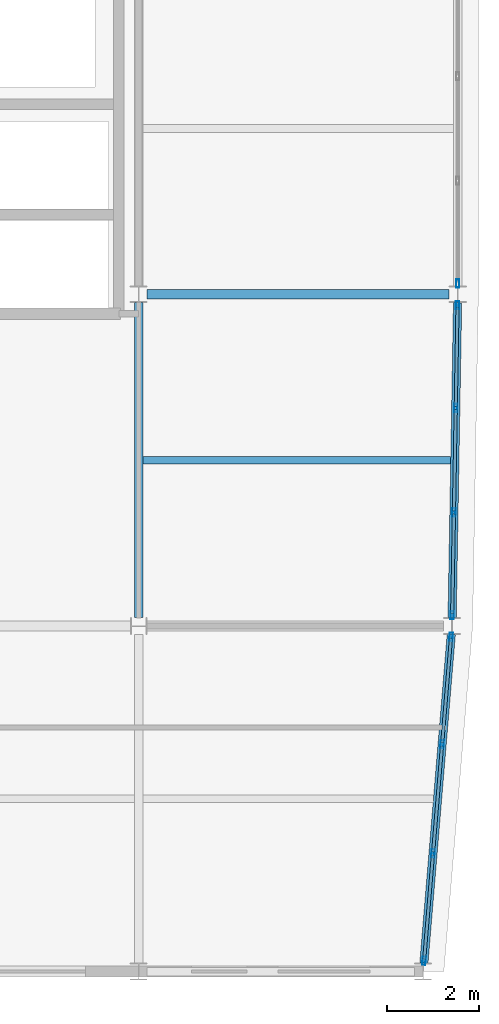
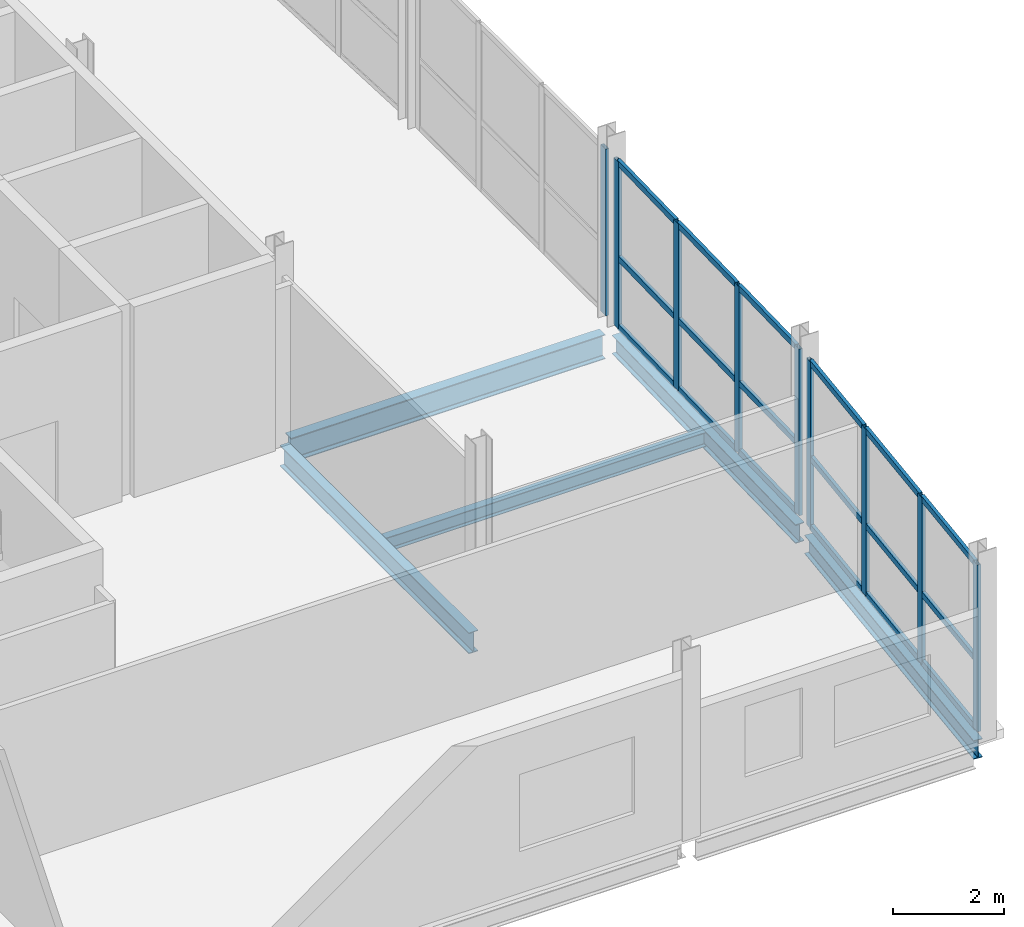
# One storey, part 2 of 16: 27 members, 5 beams, 3 elements without a shape of their own.
"""IFC4 building model written with IfcOpenShell, lengths in metres."""

from ifc_helpers import new_model, si_unit, direction, frame, origin, origin_2d, place, context, subcontext, project, spatial, hollow_rectangle, i_section, extrude, material, layer, layer_set, material_profile, profile_set, type_object, element, aggregate, save


model = new_model("IFC4")

# Units and contexts
model_context = context("Model", 3, precision=1e-05, world=origin(), true_north=direction((0.0, 1.0)))
body_context = subcontext(model_context, "Body", "Model", "MODEL_VIEW")
ifc_project = project(units=[si_unit("LENGTHUNIT", "METRE"), si_unit("AREAUNIT", "SQUARE_METRE"), si_unit("VOLUMEUNIT", "CUBIC_METRE"), si_unit("PLANEANGLEUNIT", "RADIAN"), si_unit("MASSUNIT", "GRAM", prefix="KILO")], contexts=[model_context])

# Site, building, storey
site_placement = place(None, origin())
site = spatial("IfcSite", under=ifc_project, at=site_placement, CompositionType="ELEMENT")
building_placement = place(site_placement, origin())
building = spatial("IfcBuilding", under=site, at=building_placement, Name="Quillay Park Conservatory", CompositionType="ELEMENT")
storey_placement = place(building_placement, frame((0.0, 0.0, 43.5)))
storey = spatial("IfcBuildingStorey", under=building, at=storey_placement, Name="L10", CompositionType="ELEMENT", Elevation=43.5)

# Beam
ifc_material_1 = material(Name="Steel ASTM A992 Grade 50", Category="steel")
ifc_material_profile_1 = material_profile(ifc_material_1, i_section(OverallWidth=0.166015625, OverallDepth=0.31298828125, WebThickness=0.006591796875, FlangeThickness=0.01123046875, FilletRadius=0.010009765625, at=origin_2d()), Name="W310x45")
ifc_profile_set_1 = profile_set([ifc_material_profile_1], Name="Steel ASTM A992 Grade 50")
beam_type_1 = type_object("IfcBeamType", Name="COMPOSITE FLOOR JOIST W310 X45", PredefinedType="JOIST", material=ifc_profile_set_1)
beam_1_placement = place(storey_placement, frame((19.845947265625, 81.60009765625, -0.3564453125), z_axis=(1.0, 0.0, 0.0), x_axis=(0.0, 1.0, 0.0)))
element("IfcBeam", 1, at=beam_1_placement, inside=storey, type_object=beam_type_1, Name="L10 beam BM-J-0741", PredefinedType="JOIST", context=body_context, shape_type="SweptSolid", body=[
    extrude(i_section(OverallWidth=0.166015625, OverallDepth=0.31298828125, WebThickness=0.006591796875, FlangeThickness=0.01123046875, FilletRadius=0.010009765625, at=origin_2d()), origin(), (0.0, 0.0, 1.0), 6.676513671875),
])

# Curtain wall, members
ifc_material_2 = material(Name="Thermally Broken Anodised Aluminium 6063-T6", Category="aluminium")
ifc_layer = layer(ifc_material_2, 0.179931640625)
ifc_layer_set = layer_set([ifc_layer], Name="UNITISED CURTAIN WALL TOWER (Thermally Broken Anodised Aluminium 6063-T6)")
curtain_wall_type = type_object("IfcCurtainWallType", Name="UNITISED CURTAIN WALL TOWER", PredefinedType="USERDEFINED", material=ifc_layer_set)
curtain_wall_1_placement = place(storey_placement, origin())
curtain_wall_1 = element("IfcCurtainWall", 2, at=curtain_wall_1_placement, inside=storey, type_object=curtain_wall_type, Name="L10 Unitised Curtain Wall 096", ObjectType="UNITISED CURTAIN WALL", PredefinedType="USERDEFINED")
ifc_material_3 = material(Name="Thermally Broken Anodised Aluminium 6063-T6", Category="aluminium")
ifc_material_profile_2 = material_profile(ifc_material_3, hollow_rectangle(XDim=0.070068359375, YDim=0.179931640625, WallThickness=0.00390625, at=origin_2d()), Name="AL70x180x4")
ifc_profile_set_2 = profile_set([ifc_material_profile_2], Name="Thermally Broken Anodised Aluminium 6063-T6")
member_type_1 = type_object("IfcMemberType", Name="CURTAIN WALL MULLION 70 X180", PredefinedType="MULLION", material=ifc_profile_set_2)
member_1_placement = place(storey_placement, frame((26.530517578125, 77.765869140625, 0.0), z_axis=(0.0, 0.0, 1.0), x_axis=(0.996545564682, -0.083047802572, 0.0)))
member_1 = element("IfcMember", 3, at=member_1_placement, type_object=member_type_1, Name="CW-T1 mullion 1", PredefinedType="MULLION", context=body_context, shape_type="SweptSolid", body=[
    extrude(hollow_rectangle(XDim=0.070068359375, YDim=0.179931640625, WallThickness=0.00390625, at=origin_2d()), origin(), (0.0, 0.0, 1.0), 3.677001953125),
])
member_2_placement = place(storey_placement, frame((26.336181640625, 75.43359375, 0.0), z_axis=(0.0, 0.0, 1.0), x_axis=(0.996545564682, -0.083047802572, 0.0)))
member_2 = element("IfcMember", 4, at=member_2_placement, type_object=member_type_1, Name="CW-T1 mullion 2", PredefinedType="MULLION", context=body_context, shape_type="SweptSolid", body=[
    extrude(hollow_rectangle(XDim=0.070068359375, YDim=0.179931640625, WallThickness=0.00390625, at=origin_2d()), origin(), (0.0, 0.0, 1.0), 3.677001953125),
])
member_3_placement = place(storey_placement, frame((26.138916015625, 73.06640625, 0.0), z_axis=(0.0, 0.0, 1.0), x_axis=(0.996545564682, -0.083047802572, 0.0)))
member_3 = element("IfcMember", 5, at=member_3_placement, type_object=member_type_1, Name="CW-T1 mullion 3", PredefinedType="MULLION", context=body_context, shape_type="SweptSolid", body=[
    extrude(hollow_rectangle(XDim=0.070068359375, YDim=0.179931640625, WallThickness=0.00390625, at=origin_2d()), origin(), (0.0, 0.0, 1.0), 3.677001953125),
])
member_4_placement = place(storey_placement, frame((25.944580078125, 70.734130859375, 0.0), z_axis=(0.0, 0.0, 1.0), x_axis=(0.996545564682, -0.083047802572, 0.0)))
member_4 = element("IfcMember", 6, at=member_4_placement, type_object=member_type_1, Name="CW-T1 mullion 4", PredefinedType="MULLION", context=body_context, shape_type="SweptSolid", body=[
    extrude(hollow_rectangle(XDim=0.070068359375, YDim=0.179931640625, WallThickness=0.00390625, at=origin_2d()), origin(), (0.0, 0.0, 1.0), 3.677001953125),
])

curtain_wall_2_placement = place(storey_placement, origin())
curtain_wall_2 = element("IfcCurtainWall", 7, at=curtain_wall_2_placement, inside=storey, type_object=curtain_wall_type, Name="L10 Unitised Curtain Wall 097", ObjectType="UNITISED CURTAIN WALL", PredefinedType="USERDEFINED")
member_5_placement = place(storey_placement, frame((26.6708984375, 84.965087890625, 0.0), z_axis=(0.0, 0.0, 1.0), x_axis=(0.999849471711, -0.017350329071, 0.0)))
member_5 = element("IfcMember", 8, at=member_5_placement, type_object=member_type_1, Name="CW-T1 mullion 1", PredefinedType="MULLION", context=body_context, shape_type="SweptSolid", body=[
    extrude(hollow_rectangle(XDim=0.070068359375, YDim=0.179931640625, WallThickness=0.00390625, at=origin_2d()), origin(), (0.0, 0.0, 1.0), 3.677001953125),
])
member_6_placement = place(storey_placement, frame((26.632080078125, 82.7333984375, 0.0), z_axis=(0.0, 0.0, 1.0), x_axis=(0.999849471711, -0.017350329071, 0.0)))
member_6 = element("IfcMember", 9, at=member_6_placement, type_object=member_type_1, Name="CW-T1 mullion 2", PredefinedType="MULLION", context=body_context, shape_type="SweptSolid", body=[
    extrude(hollow_rectangle(XDim=0.070068359375, YDim=0.179931640625, WallThickness=0.00390625, at=origin_2d()), origin(), (0.0, 0.0, 1.0), 3.677001953125),
])
member_7_placement = place(storey_placement, frame((26.5927734375, 80.466552734375, 0.0), z_axis=(0.0, 0.0, 1.0), x_axis=(0.999849471711, -0.017350329071, 0.0)))
member_7 = element("IfcMember", 10, at=member_7_placement, type_object=member_type_1, Name="CW-T1 mullion 3", PredefinedType="MULLION", context=body_context, shape_type="SweptSolid", body=[
    extrude(hollow_rectangle(XDim=0.070068359375, YDim=0.179931640625, WallThickness=0.00390625, at=origin_2d()), origin(), (0.0, 0.0, 1.0), 3.677001953125),
])
member_8_placement = place(storey_placement, frame((26.55419921875, 78.235107421875, 0.0), z_axis=(0.0, 0.0, 1.0), x_axis=(0.999849471711, -0.017350329071, 0.0)))
member_8 = element("IfcMember", 11, at=member_8_placement, type_object=member_type_1, Name="CW-T1 mullion 4", PredefinedType="MULLION", context=body_context, shape_type="SweptSolid", body=[
    extrude(hollow_rectangle(XDim=0.070068359375, YDim=0.179931640625, WallThickness=0.00390625, at=origin_2d()), origin(), (0.0, 0.0, 1.0), 3.677001953125),
])

# Curtain wall, member
curtain_wall_3_placement = place(storey_placement, origin())
curtain_wall_3 = element("IfcCurtainWall", 12, at=curtain_wall_3_placement, inside=storey, type_object=curtain_wall_type, Name="L10 Unitised Curtain Wall 098", ObjectType="UNITISED CURTAIN WALL", PredefinedType="USERDEFINED")
member_9_placement = place(storey_placement, frame((26.675048828125, 85.43505859375, 0.0), z_axis=(0.0, 0.0, 1.0), x_axis=(1.0, 0.0, 0.0)))
member_9 = element("IfcMember", 13, at=member_9_placement, type_object=member_type_1, Name="CW-T1 mullion 4", PredefinedType="MULLION", context=body_context, shape_type="SweptSolid", body=[
    extrude(hollow_rectangle(XDim=0.070068359375, YDim=0.179931640625, WallThickness=0.00390625, at=origin_2d()), origin(), (0.0, 0.0, 1.0), 3.677001953125),
])
aggregate(curtain_wall_3, [member_9])

# Member
ifc_material_4 = material(Name="Thermally Broken Anodised Aluminium 6063-T6", Category="aluminium")
ifc_material_profile_3 = material_profile(ifc_material_4, hollow_rectangle(XDim=0.070068359375, YDim=0.1298828125, WallThickness=0.003173828125, at=origin_2d()), Name="AL70x130x3.2")
ifc_profile_set_3 = profile_set([ifc_material_profile_3], Name="Thermally Broken Anodised Aluminium 6063-T6")
member_type_2 = type_object("IfcMemberType", Name="CURTAIN WALL TRANSOM 70 X130", PredefinedType="USERDEFINED", material=ifc_profile_set_3)
member_10_placement = place(storey_placement, frame((26.527587890625, 77.73095703125, 0.034912109375), z_axis=(-0.083018780913, -0.996547982796, 0.0), x_axis=(0.996547982796, -0.083018780913, 0.0)))
member_10 = element("IfcMember", 14, at=member_10_placement, type_object=member_type_2, Name="CW-T1 transom 1.1", ObjectType="TRANSOM", PredefinedType="USERDEFINED", context=body_context, shape_type="SweptSolid", body=[
    extrude(hollow_rectangle(XDim=0.070068359375, YDim=0.1298828125, WallThickness=0.003173828125, at=origin_2d()), origin(), (0.0, 0.0, 1.0), 2.270263671875),
])

member_11_placement = place(storey_placement, frame((26.527587890625, 77.73095703125, 1.544189453125), z_axis=(-0.083018780913, -0.996547982796, 0.0), x_axis=(0.996547982796, -0.083018780913, 0.0)))
member_11 = element("IfcMember", 15, at=member_11_placement, type_object=member_type_2, Name="CW-T1 transom 1.2", ObjectType="TRANSOM", PredefinedType="USERDEFINED", context=body_context, shape_type="SweptSolid", body=[
    extrude(hollow_rectangle(XDim=0.070068359375, YDim=0.1298828125, WallThickness=0.003173828125, at=origin_2d()), origin(), (0.0, 0.0, 1.0), 2.270263671875),
])

member_12_placement = place(storey_placement, frame((26.527587890625, 77.73095703125, 3.64208984375), z_axis=(-0.083018780913, -0.996547982796, 0.0), x_axis=(0.996547982796, -0.083018780913, 0.0)))
member_12 = element("IfcMember", 16, at=member_12_placement, type_object=member_type_2, Name="CW-T1 transom 1.3", ObjectType="TRANSOM", PredefinedType="USERDEFINED", context=body_context, shape_type="SweptSolid", body=[
    extrude(hollow_rectangle(XDim=0.070068359375, YDim=0.1298828125, WallThickness=0.003173828125, at=origin_2d()), origin(), (0.0, 0.0, 1.0), 2.270263671875),
])

member_13_placement = place(storey_placement, frame((26.333251953125, 75.398681640625, 0.034912109375), z_axis=(-0.083027951069, -0.996547218822, 0.0), x_axis=(0.996547218822, -0.083027951069, 0.0)))
member_13 = element("IfcMember", 17, at=member_13_placement, type_object=member_type_2, Name="CW-T1 transom 2.1", ObjectType="TRANSOM", PredefinedType="USERDEFINED", context=body_context, shape_type="SweptSolid", body=[
    extrude(hollow_rectangle(XDim=0.070068359375, YDim=0.1298828125, WallThickness=0.003173828125, at=origin_2d()), origin(), (0.0, 0.0, 1.0), 2.305419921875),
])

member_14_placement = place(storey_placement, frame((26.333251953125, 75.398681640625, 1.544189453125), z_axis=(-0.083027951069, -0.996547218822, 0.0), x_axis=(0.996547218822, -0.083027951069, 0.0)))
member_14 = element("IfcMember", 18, at=member_14_placement, type_object=member_type_2, Name="CW-T1 transom 2.2", ObjectType="TRANSOM", PredefinedType="USERDEFINED", context=body_context, shape_type="SweptSolid", body=[
    extrude(hollow_rectangle(XDim=0.070068359375, YDim=0.1298828125, WallThickness=0.003173828125, at=origin_2d()), origin(), (0.0, 0.0, 1.0), 2.305419921875),
])

member_15_placement = place(storey_placement, frame((26.333251953125, 75.398681640625, 3.64208984375), z_axis=(-0.083027951069, -0.996547218822, 0.0), x_axis=(0.996547218822, -0.083027951069, 0.0)))
member_15 = element("IfcMember", 19, at=member_15_placement, type_object=member_type_2, Name="CW-T1 transom 2.3", ObjectType="TRANSOM", PredefinedType="USERDEFINED", context=body_context, shape_type="SweptSolid", body=[
    extrude(hollow_rectangle(XDim=0.070068359375, YDim=0.1298828125, WallThickness=0.003173828125, at=origin_2d()), origin(), (0.0, 0.0, 1.0), 2.305419921875),
])

member_16_placement = place(storey_placement, frame((26.135986328125, 73.031494140625, 0.034912109375), z_axis=(-0.083018780913, -0.996547982796, 0.0), x_axis=(0.996547982796, -0.083018780913, 0.0)))
member_16 = element("IfcMember", 20, at=member_16_placement, type_object=member_type_2, Name="CW-T1 transom 3.1", ObjectType="TRANSOM", PredefinedType="USERDEFINED", context=body_context, shape_type="SweptSolid", body=[
    extrude(hollow_rectangle(XDim=0.070068359375, YDim=0.1298828125, WallThickness=0.003173828125, at=origin_2d()), origin(), (0.0, 0.0, 1.0), 2.270263671875),
])

member_17_placement = place(storey_placement, frame((26.135986328125, 73.031494140625, 1.544189453125), z_axis=(-0.083018780913, -0.996547982796, 0.0), x_axis=(0.996547982796, -0.083018780913, 0.0)))
member_17 = element("IfcMember", 21, at=member_17_placement, type_object=member_type_2, Name="CW-T1 transom 3.2", ObjectType="TRANSOM", PredefinedType="USERDEFINED", context=body_context, shape_type="SweptSolid", body=[
    extrude(hollow_rectangle(XDim=0.070068359375, YDim=0.1298828125, WallThickness=0.003173828125, at=origin_2d()), origin(), (0.0, 0.0, 1.0), 2.270263671875),
])

member_18_placement = place(storey_placement, frame((26.135986328125, 73.031494140625, 3.64208984375), z_axis=(-0.083018780913, -0.996547982796, 0.0), x_axis=(0.996547982796, -0.083018780913, 0.0)))
member_18 = element("IfcMember", 22, at=member_18_placement, type_object=member_type_2, Name="CW-T1 transom 3.3", ObjectType="TRANSOM", PredefinedType="USERDEFINED", context=body_context, shape_type="SweptSolid", body=[
    extrude(hollow_rectangle(XDim=0.070068359375, YDim=0.1298828125, WallThickness=0.003173828125, at=origin_2d()), origin(), (0.0, 0.0, 1.0), 2.270263671875),
])

aggregate(curtain_wall_1, [member_1, member_2, member_3, member_4, member_10, member_11, member_12, member_13, member_14, member_15, member_16, member_17, member_18])

member_19_placement = place(storey_placement, frame((26.670166015625, 84.929931640625, 0.034912109375), z_axis=(-0.017277745819, -0.999850728609, 0.0), x_axis=(0.999850728609, -0.017277745819, 0.0)))
member_19 = element("IfcMember", 23, at=member_19_placement, type_object=member_type_2, Name="CW-T1 transom 1.1", ObjectType="TRANSOM", PredefinedType="USERDEFINED", context=body_context, shape_type="SweptSolid", body=[
    extrude(hollow_rectangle(XDim=0.070068359375, YDim=0.1298828125, WallThickness=0.003173828125, at=origin_2d()), origin(), (0.0, 0.0, 1.0), 2.161865234375),
])

member_20_placement = place(storey_placement, frame((26.670166015625, 84.929931640625, 1.544189453125), z_axis=(-0.017277745819, -0.999850728609, 0.0), x_axis=(0.999850728609, -0.017277745819, 0.0)))
member_20 = element("IfcMember", 24, at=member_20_placement, type_object=member_type_2, Name="CW-T1 transom 1.2", ObjectType="TRANSOM", PredefinedType="USERDEFINED", context=body_context, shape_type="SweptSolid", body=[
    extrude(hollow_rectangle(XDim=0.070068359375, YDim=0.1298828125, WallThickness=0.003173828125, at=origin_2d()), origin(), (0.0, 0.0, 1.0), 2.161865234375),
])

member_21_placement = place(storey_placement, frame((26.670166015625, 84.929931640625, 3.64208984375), z_axis=(-0.017277745819, -0.999850728609, 0.0), x_axis=(0.999850728609, -0.017277745819, 0.0)))
member_21 = element("IfcMember", 25, at=member_21_placement, type_object=member_type_2, Name="CW-T1 transom 1.3", ObjectType="TRANSOM", PredefinedType="USERDEFINED", context=body_context, shape_type="SweptSolid", body=[
    extrude(hollow_rectangle(XDim=0.070068359375, YDim=0.1298828125, WallThickness=0.003173828125, at=origin_2d()), origin(), (0.0, 0.0, 1.0), 2.161865234375),
])

member_22_placement = place(storey_placement, frame((26.631591796875, 82.6982421875, 0.034912109375), z_axis=(-0.017336507168, -0.999849711466, 0.0), x_axis=(0.999849711466, -0.017336507168, 0.0)))
member_22 = element("IfcMember", 26, at=member_22_placement, type_object=member_type_2, Name="CW-T1 transom 2.1", ObjectType="TRANSOM", PredefinedType="USERDEFINED", context=body_context, shape_type="SweptSolid", body=[
    extrude(hollow_rectangle(XDim=0.070068359375, YDim=0.1298828125, WallThickness=0.003173828125, at=origin_2d()), origin(), (0.0, 0.0, 1.0), 2.19677734375),
])

member_23_placement = place(storey_placement, frame((26.631591796875, 82.6982421875, 1.544189453125), z_axis=(-0.017336507168, -0.999849711466, 0.0), x_axis=(0.999849711466, -0.017336507168, 0.0)))
member_23 = element("IfcMember", 27, at=member_23_placement, type_object=member_type_2, Name="CW-T1 transom 2.2", ObjectType="TRANSOM", PredefinedType="USERDEFINED", context=body_context, shape_type="SweptSolid", body=[
    extrude(hollow_rectangle(XDim=0.070068359375, YDim=0.1298828125, WallThickness=0.003173828125, at=origin_2d()), origin(), (0.0, 0.0, 1.0), 2.19677734375),
])

member_24_placement = place(storey_placement, frame((26.631591796875, 82.6982421875, 3.64208984375), z_axis=(-0.017336507168, -0.999849711466, 0.0), x_axis=(0.999849711466, -0.017336507168, 0.0)))
member_24 = element("IfcMember", 28, at=member_24_placement, type_object=member_type_2, Name="CW-T1 transom 2.3", ObjectType="TRANSOM", PredefinedType="USERDEFINED", context=body_context, shape_type="SweptSolid", body=[
    extrude(hollow_rectangle(XDim=0.070068359375, YDim=0.1298828125, WallThickness=0.003173828125, at=origin_2d()), origin(), (0.0, 0.0, 1.0), 2.19677734375),
])

member_25_placement = place(storey_placement, frame((26.59228515625, 80.431640625, 0.034912109375), z_axis=(-0.01739063822, -0.999848771416, 0.0), x_axis=(0.999848771416, -0.01739063822, 0.0)))
member_25 = element("IfcMember", 29, at=member_25_placement, type_object=member_type_2, Name="CW-T1 transom 3.1", ObjectType="TRANSOM", PredefinedType="USERDEFINED", context=body_context, shape_type="SweptSolid", body=[
    extrude(hollow_rectangle(XDim=0.070068359375, YDim=0.1298828125, WallThickness=0.003173828125, at=origin_2d()), origin(), (0.0, 0.0, 1.0), 2.161865234375),
])

member_26_placement = place(storey_placement, frame((26.59228515625, 80.431640625, 1.544189453125), z_axis=(-0.01739063822, -0.999848771416, 0.0), x_axis=(0.999848771416, -0.01739063822, 0.0)))
member_26 = element("IfcMember", 30, at=member_26_placement, type_object=member_type_2, Name="CW-T1 transom 3.2", ObjectType="TRANSOM", PredefinedType="USERDEFINED", context=body_context, shape_type="SweptSolid", body=[
    extrude(hollow_rectangle(XDim=0.070068359375, YDim=0.1298828125, WallThickness=0.003173828125, at=origin_2d()), origin(), (0.0, 0.0, 1.0), 2.161865234375),
])

member_27_placement = place(storey_placement, frame((26.59228515625, 80.431640625, 3.64208984375), z_axis=(-0.01739063822, -0.999848771416, 0.0), x_axis=(0.999848771416, -0.01739063822, 0.0)))
member_27 = element("IfcMember", 31, at=member_27_placement, type_object=member_type_2, Name="CW-T1 transom 3.3", ObjectType="TRANSOM", PredefinedType="USERDEFINED", context=body_context, shape_type="SweptSolid", body=[
    extrude(hollow_rectangle(XDim=0.070068359375, YDim=0.1298828125, WallThickness=0.003173828125, at=origin_2d()), origin(), (0.0, 0.0, 1.0), 2.161865234375),
])

aggregate(curtain_wall_2, [member_5, member_6, member_7, member_8, member_19, member_20, member_21, member_22, member_23, member_24, member_25, member_26, member_27])

# Beams
ifc_material_5 = material(Name="Steel ASTM A992 Grade 50", Category="steel")
ifc_material_profile_4 = material_profile(ifc_material_5, i_section(OverallWidth=0.179931640625, OverallDepth=0.4130859375, WebThickness=0.009765625, FlangeThickness=0.01611328125, FilletRadius=0.011962890625, at=origin_2d()), Name="W410x74")
ifc_profile_set_4 = profile_set([ifc_material_profile_4], Name="Steel ASTM A992 Grade 50")
beam_type_2 = type_object("IfcBeamType", Name="PERIMETER SPANDREL BEAM W410 X74", PredefinedType="SPANDREL", material=ifc_profile_set_4)
beam_2_placement = place(storey_placement, frame((25.940185546875, 70.681396484375, -0.406494140625), z_axis=(0.083039837601, 0.996546228417, 0.0), x_axis=(-0.996546228417, 0.083039837601, 0.0)))
element("IfcBeam", 32, at=beam_2_placement, inside=storey, type_object=beam_type_2, Name="L10 beam BM-SPE-0730", PredefinedType="SPANDREL", context=body_context, shape_type="SweptSolid", body=[
    extrude(i_section(OverallWidth=0.179931640625, OverallDepth=0.4130859375, WebThickness=0.009765625, FlangeThickness=0.01611328125, FilletRadius=0.011962890625, at=origin_2d()), origin(), (0.0, 0.0, 1.0), 7.161865234375),
])
beam_3_placement = place(storey_placement, frame((26.55322265625, 78.181884765625, -0.406494140625), z_axis=(0.017353909255, 0.999849409578, 0.0), x_axis=(-0.999849409578, 0.017353909255, 0.0)))
element("IfcBeam", 33, at=beam_3_placement, inside=storey, type_object=beam_type_2, Name="L10 beam BM-SPE-0737", PredefinedType="SPANDREL", context=body_context, shape_type="SweptSolid", body=[
    extrude(i_section(OverallWidth=0.179931640625, OverallDepth=0.4130859375, WebThickness=0.009765625, FlangeThickness=0.01611328125, FilletRadius=0.011962890625, at=origin_2d()), origin(), (0.0, 0.0, 1.0), 6.837158203125),
])
ifc_material_6 = material(Name="Steel ASTM A992 Grade 50", Category="steel")
ifc_material_profile_5 = material_profile(ifc_material_6, i_section(OverallWidth=0.19189453125, OverallDepth=0.462890625, WebThickness=0.010498046875, FlangeThickness=0.017578125, FilletRadius=0.012939453125, at=origin_2d()), Name="W460x89")
ifc_profile_set_5 = profile_set([ifc_material_profile_5], Name="Steel ASTM A992 Grade 50")
beam_type_3 = type_object("IfcBeamType", Name="PRIMARY FLOOR GIRDER W460 X89", PredefinedType="BEAM", material=ifc_profile_set_5)
beam_4_placement = place(storey_placement, frame((19.75, 78.185546875, -0.431396484375), z_axis=(0.0, 1.0, 0.0), x_axis=(-1.0, 0.0, 0.0)))
element("IfcBeam", 34, at=beam_4_placement, inside=storey, type_object=beam_type_3, Name="L10 beam BM-GNS-0739", PredefinedType="BEAM", context=body_context, shape_type="SweptSolid", body=[
    extrude(i_section(OverallWidth=0.19189453125, OverallDepth=0.462890625, WebThickness=0.010498046875, FlangeThickness=0.017578125, FilletRadius=0.012939453125, at=origin_2d()), origin(), (0.0, 0.0, 1.0), 6.83251953125),
])
ifc_material_7 = material(Name="Steel ASTM A992 Grade 50", Category="steel")
ifc_material_profile_6 = material_profile(ifc_material_7, i_section(OverallWidth=0.2109375, OverallDepth=0.5390625, WebThickness=0.01171875, FlangeThickness=0.018798828125, FilletRadius=0.013916015625, at=origin_2d()), Name="W530x109")
ifc_profile_set_6 = profile_set([ifc_material_profile_6], Name="Steel ASTM A992 Grade 50")
beam_type_4 = type_object("IfcBeamType", Name="PRIMARY FLOOR GIRDER W530 X109", PredefinedType="BEAM", material=ifc_profile_set_6)
beam_5_placement = place(storey_placement, frame((19.935546875, 85.199951171875, -0.469482421875), z_axis=(1.0, 0.0, 0.0), x_axis=(0.0, 1.0, 0.0)))
element("IfcBeam", 35, at=beam_5_placement, inside=storey, type_object=beam_type_4, Name="L10 beam BM-G-0717", PredefinedType="BEAM", context=body_context, shape_type="SweptSolid", body=[
    extrude(i_section(OverallWidth=0.2109375, OverallDepth=0.5390625, WebThickness=0.01171875, FlangeThickness=0.018798828125, FilletRadius=0.013916015625, at=origin_2d()), origin(), (0.0, 0.0, 1.0), 6.553955078125),
])

save(model, "model.ifc")
